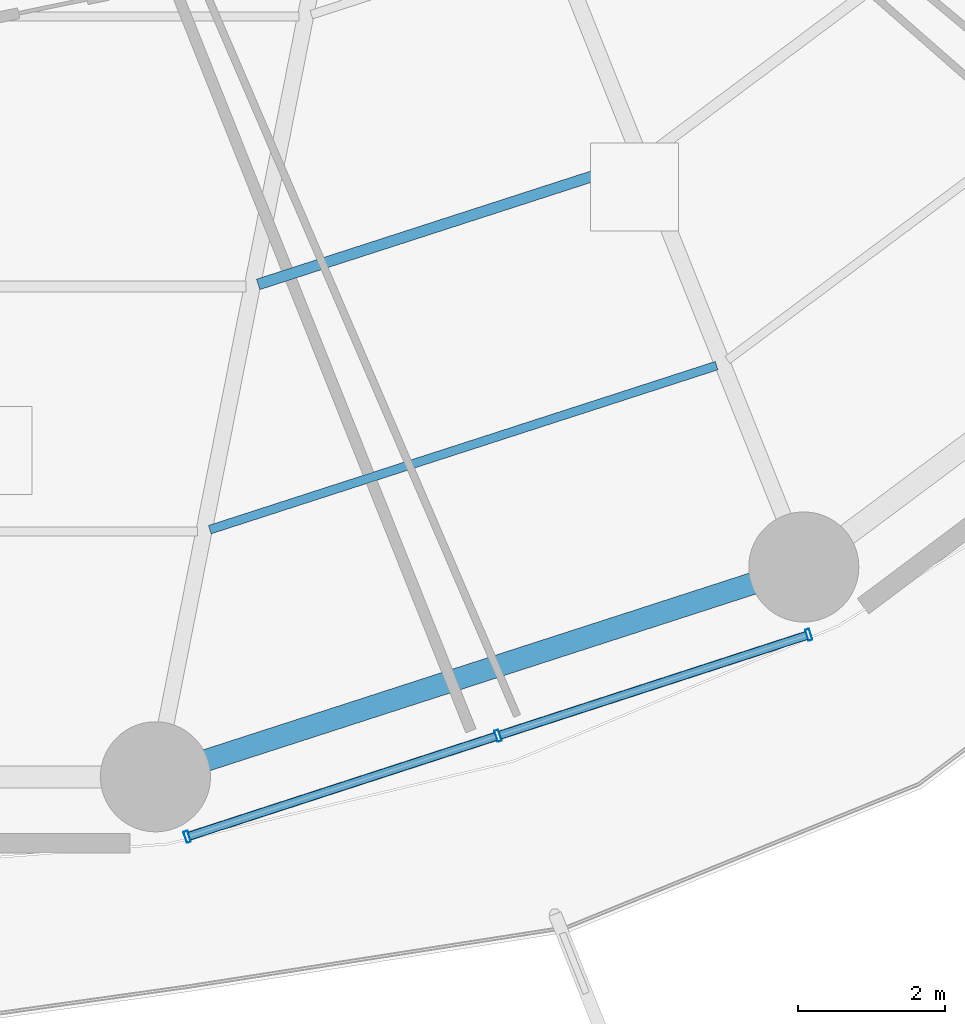
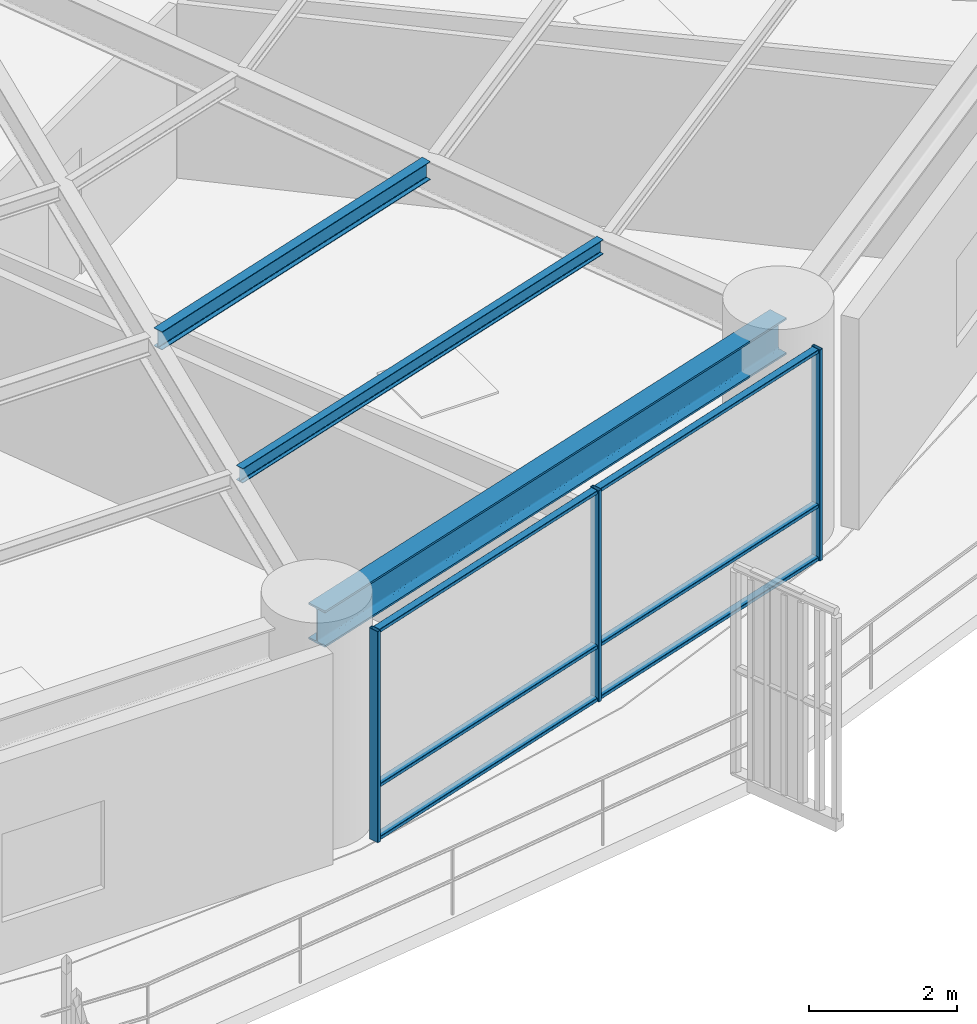
# One storey, part 8 of 32: 9 members, 3 beams, 1 element without a shape of its own.
"""IFC4 building model written with IfcOpenShell, lengths in metres."""

from ifc_helpers import new_model, si_unit, direction, frame, origin, origin_2d, place, context, subcontext, project, spatial, hollow_rectangle, i_section, extrude, material, layer, layer_set, material_profile, profile_set, type_object, element, aggregate, save


model = new_model("IFC4")

# Units and contexts
model_context = context("Model", 3, precision=1e-05, world=origin(), true_north=direction((0.0, 1.0)))
body_context = subcontext(model_context, "Body", "Model", "MODEL_VIEW")
ifc_project = project(units=[si_unit("LENGTHUNIT", "METRE"), si_unit("AREAUNIT", "SQUARE_METRE"), si_unit("VOLUMEUNIT", "CUBIC_METRE"), si_unit("PLANEANGLEUNIT", "RADIAN"), si_unit("MASSUNIT", "GRAM", prefix="KILO")], contexts=[model_context])

# Site, building, storey
site_placement = place(None, origin())
site = spatial("IfcSite", under=ifc_project, at=site_placement, CompositionType="ELEMENT")
building_placement = place(site_placement, origin())
building = spatial("IfcBuilding", under=site, at=building_placement, Name="Kelanora Arch Commons", CompositionType="ELEMENT")
storey_placement = place(building_placement, frame((0.0, 0.0, 52.5)))
storey = spatial("IfcBuildingStorey", under=building, at=storey_placement, Name="L13", CompositionType="ELEMENT", Elevation=52.5)

# Beams
ifc_material_1 = material(Name="Steel S355", Category="steel")
ifc_material_profile_1 = material_profile(ifc_material_1, i_section(OverallWidth=0.14990234375, OverallDepth=0.300048828125, WebThickness=0.007080078125, FlangeThickness=0.0107421875, FilletRadius=0.014892578125, at=origin_2d()), Name="IPE300")
ifc_profile_set_1 = profile_set([ifc_material_profile_1], Name="Steel S355")
beam_type_1 = type_object("IfcBeamType", Name="BM-JST-01", PredefinedType="JOIST", material=ifc_profile_set_1)
beam_1_placement = place(storey_placement, frame((80.102294921875, 40.997802734375, 3.340087890625), z_axis=(0.951412209627, 0.307920131482, 0.0), x_axis=(-0.307920131482, 0.951412209627, 0.0)))
element("IfcBeam", 1, at=beam_1_placement, inside=storey, type_object=beam_type_1, Name="Secondary Chord Joist BJB-28 L13", PredefinedType="JOIST", context=body_context, shape_type="SweptSolid", body=[
    extrude(i_section(OverallWidth=0.14990234375, OverallDepth=0.300048828125, WebThickness=0.007080078125, FlangeThickness=0.0107421875, FilletRadius=0.014892578125, at=origin_2d()), origin(), (0.0, 0.0, 1.0), 5.4033203125),
])
ifc_material_profile_2 = material_profile(ifc_material_1, i_section(OverallWidth=0.1201171875, OverallDepth=0.239990234375, WebThickness=0.006103515625, FlangeThickness=0.009765625, FilletRadius=0.014892578125, at=origin_2d()), Name="IPE240")
ifc_profile_set_2 = profile_set([ifc_material_profile_2], Name="Steel S355")
beam_type_2 = type_object("IfcBeamType", Name="BM-JST-02", PredefinedType="JOIST", material=ifc_profile_set_2)
beam_2_placement = place(storey_placement, frame((79.44287109375, 37.65478515625, 3.3701171875), z_axis=(0.951410915705, 0.307924129418, 0.0), x_axis=(-0.307924129418, 0.951410915705, 0.0)))
element("IfcBeam", 2, at=beam_2_placement, inside=storey, type_object=beam_type_2, Name="Secondary Chord Joist BJC-28 L13", PredefinedType="JOIST", context=body_context, shape_type="SweptSolid", body=[
    extrude(i_section(OverallWidth=0.1201171875, OverallDepth=0.239990234375, WebThickness=0.006103515625, FlangeThickness=0.009765625, FilletRadius=0.014892578125, at=origin_2d()), origin(), (0.0, 0.0, 1.0), 7.260986328125),
])
ifc_material_profile_3 = material_profile(ifc_material_1, i_section(OverallWidth=0.300048828125, OverallDepth=0.60009765625, WebThickness=0.015380859375, FlangeThickness=0.030029296875, FilletRadius=0.027099609375, at=origin_2d()), Name="HEB600")
ifc_profile_set_3 = profile_set([ifc_material_profile_3], Name="Steel S355")
beam_type_3 = type_object("IfcBeamType", Name="BM-SPN-Z1", PredefinedType="SPANDREL", material=ifc_profile_set_3)
beam_3_placement = place(storey_placement, frame((78.702392578125, 34.285888671875, 3.18994140625), z_axis=(0.951417120402, 0.307904957748, 0.0), x_axis=(-0.307904957748, 0.951417120402, 0.0)))
element("IfcBeam", 3, at=beam_3_placement, inside=storey, type_object=beam_type_3, Name="Perimeter Spandrel Beam BS-28 L13", PredefinedType="SPANDREL", context=body_context, shape_type="SweptSolid", body=[
    extrude(i_section(OverallWidth=0.300048828125, OverallDepth=0.60009765625, WebThickness=0.015380859375, FlangeThickness=0.030029296875, FilletRadius=0.027099609375, at=origin_2d()), origin(), (0.0, 0.0, 1.0), 9.288818359375),
])

# Curtain wall, members
ifc_material_2 = material(Name="Terracotta ceramic-fritted low-E glass and aluminium", Category="masonry")
ifc_layer = layer(ifc_material_2, 0.159912109375)
ifc_layer_set = layer_set([ifc_layer], Name="Terracotta ceramic-fritted low-E glass and aluminium")
curtain_wall_type = type_object("IfcCurtainWallType", Name="CW-SYS-01", PredefinedType="NOTDEFINED", material=ifc_layer_set)
curtain_wall_placement = place(storey_placement, origin())
curtain_wall = element("IfcCurtainWall", 4, at=curtain_wall_placement, inside=storey, type_object=curtain_wall_type, Name="Unitised Curtain Wall L13-B14", PredefinedType="NOTDEFINED")
ifc_material_3 = material(Name="Powder-coated aluminium terracotta", Category="masonry")
ifc_material_profile_4 = material_profile(ifc_material_3, hollow_rectangle(XDim=0.159912109375, YDim=0.06005859375, WallThickness=0.0048828125, InnerFilletRadius=0.0048828125, OuterFilletRadius=0.010009765625, at=origin_2d()), Name="CWM160x60")
ifc_profile_set_4 = profile_set([ifc_material_profile_4], Name="Powder-coated aluminium terracotta")
member_type_1 = type_object("IfcMemberType", Name="CWM-STD", PredefinedType="MULLION", material=ifc_profile_set_4)
member_1_placement = place(storey_placement, frame((79.134521484375, 33.46826171875, 0.0), z_axis=(0.0, 0.0, 1.0), x_axis=(-0.30905758454, 0.951043326793, 0.0)))
member_1 = element("IfcMember", 5, at=member_1_placement, type_object=member_type_1, Name="CW-01 mullion 1", PredefinedType="MULLION", context=body_context, shape_type="SweptSolid", body=[
    extrude(hollow_rectangle(XDim=0.159912109375, YDim=0.06005859375, WallThickness=0.0048828125, InnerFilletRadius=0.0048828125, OuterFilletRadius=0.010009765625, at=origin_2d()), origin(), (0.0, 0.0, 1.0), 3.47509765625),
])
member_2_placement = place(storey_placement, frame((83.37109375, 34.84521484375, 0.0), z_axis=(0.0, 0.0, 1.0), x_axis=(-0.30905758454, 0.951043326793, 0.0)))
member_2 = element("IfcMember", 6, at=member_2_placement, type_object=member_type_1, Name="CW-01 mullion 2", PredefinedType="MULLION", context=body_context, shape_type="SweptSolid", body=[
    extrude(hollow_rectangle(XDim=0.159912109375, YDim=0.06005859375, WallThickness=0.0048828125, InnerFilletRadius=0.0048828125, OuterFilletRadius=0.010009765625, at=origin_2d()), origin(), (0.0, 0.0, 1.0), 3.47509765625),
])
member_3_placement = place(storey_placement, frame((87.607666015625, 36.221923828125, 0.0), z_axis=(0.0, 0.0, 1.0), x_axis=(-0.30905758454, 0.951043326793, 0.0)))
member_3 = element("IfcMember", 7, at=member_3_placement, type_object=member_type_1, Name="CW-01 mullion 3", PredefinedType="MULLION", context=body_context, shape_type="SweptSolid", body=[
    extrude(hollow_rectangle(XDim=0.159912109375, YDim=0.06005859375, WallThickness=0.0048828125, InnerFilletRadius=0.0048828125, OuterFilletRadius=0.010009765625, at=origin_2d()), origin(), (0.0, 0.0, 1.0), 3.47509765625),
])
ifc_material_profile_5 = material_profile(ifc_material_3, hollow_rectangle(XDim=0.1201171875, YDim=0.06005859375, WallThickness=0.0048828125, InnerFilletRadius=0.0048828125, OuterFilletRadius=0.010009765625, at=origin_2d()), Name="CWT120x60")
ifc_profile_set_5 = profile_set([ifc_material_profile_5], Name="Powder-coated aluminium terracotta")
member_type_2 = type_object("IfcMemberType", Name="CWT-STD", PredefinedType="USERDEFINED", material=ifc_profile_set_5)
member_4_placement = place(storey_placement, frame((79.1630859375, 33.4775390625, 0.030029296875), z_axis=(0.951028761285, 0.309102402464, 0.0), x_axis=(-0.309102402464, 0.951028761285, 0.0)))
member_4 = element("IfcMember", 8, at=member_4_placement, type_object=member_type_2, Name="CW-01 transom 1.1", ObjectType="TRANSOM", PredefinedType="USERDEFINED", context=body_context, shape_type="SweptSolid", body=[
    extrude(hollow_rectangle(XDim=0.1201171875, YDim=0.06005859375, WallThickness=0.0048828125, InnerFilletRadius=0.0048828125, OuterFilletRadius=0.010009765625, at=origin_2d()), origin(), (0.0, 0.0, 1.0), 4.394775390625),
])
member_5_placement = place(storey_placement, frame((79.1630859375, 33.4775390625, 0.89990234375), z_axis=(0.951028761285, 0.309102402464, 0.0), x_axis=(-0.309102402464, 0.951028761285, 0.0)))
member_5 = element("IfcMember", 9, at=member_5_placement, type_object=member_type_2, Name="CW-01 transom 1.2", ObjectType="TRANSOM", PredefinedType="USERDEFINED", context=body_context, shape_type="SweptSolid", body=[
    extrude(hollow_rectangle(XDim=0.1201171875, YDim=0.06005859375, WallThickness=0.0048828125, InnerFilletRadius=0.0048828125, OuterFilletRadius=0.010009765625, at=origin_2d()), origin(), (0.0, 0.0, 1.0), 4.394775390625),
])
member_6_placement = place(storey_placement, frame((79.1630859375, 33.4775390625, 3.445068359375), z_axis=(0.951028761285, 0.309102402464, 0.0), x_axis=(-0.309102402464, 0.951028761285, 0.0)))
member_6 = element("IfcMember", 10, at=member_6_placement, type_object=member_type_2, Name="CW-01 transom 1.3", ObjectType="TRANSOM", PredefinedType="USERDEFINED", context=body_context, shape_type="SweptSolid", body=[
    extrude(hollow_rectangle(XDim=0.1201171875, YDim=0.06005859375, WallThickness=0.0048828125, InnerFilletRadius=0.0048828125, OuterFilletRadius=0.010009765625, at=origin_2d()), origin(), (0.0, 0.0, 1.0), 4.394775390625),
])
member_7_placement = place(storey_placement, frame((83.399658203125, 34.8544921875, 0.030029296875), z_axis=(0.951045091182, 0.309052155047, 0.0), x_axis=(-0.309052155047, 0.951045091182, 0.0)))
member_7 = element("IfcMember", 11, at=member_7_placement, type_object=member_type_2, Name="CW-01 transom 2.1", ObjectType="TRANSOM", PredefinedType="USERDEFINED", context=body_context, shape_type="SweptSolid", body=[
    extrude(hollow_rectangle(XDim=0.1201171875, YDim=0.06005859375, WallThickness=0.0048828125, InnerFilletRadius=0.0048828125, OuterFilletRadius=0.010009765625, at=origin_2d()), origin(), (0.0, 0.0, 1.0), 4.39453125),
])
member_8_placement = place(storey_placement, frame((83.399658203125, 34.8544921875, 0.89990234375), z_axis=(0.951045091182, 0.309052155047, 0.0), x_axis=(-0.309052155047, 0.951045091182, 0.0)))
member_8 = element("IfcMember", 12, at=member_8_placement, type_object=member_type_2, Name="CW-01 transom 2.2", ObjectType="TRANSOM", PredefinedType="USERDEFINED", context=body_context, shape_type="SweptSolid", body=[
    extrude(hollow_rectangle(XDim=0.1201171875, YDim=0.06005859375, WallThickness=0.0048828125, InnerFilletRadius=0.0048828125, OuterFilletRadius=0.010009765625, at=origin_2d()), origin(), (0.0, 0.0, 1.0), 4.39453125),
])
member_9_placement = place(storey_placement, frame((83.399658203125, 34.8544921875, 3.445068359375), z_axis=(0.951045091182, 0.309052155047, 0.0), x_axis=(-0.309052155047, 0.951045091182, 0.0)))
member_9 = element("IfcMember", 13, at=member_9_placement, type_object=member_type_2, Name="CW-01 transom 2.3", ObjectType="TRANSOM", PredefinedType="USERDEFINED", context=body_context, shape_type="SweptSolid", body=[
    extrude(hollow_rectangle(XDim=0.1201171875, YDim=0.06005859375, WallThickness=0.0048828125, InnerFilletRadius=0.0048828125, OuterFilletRadius=0.010009765625, at=origin_2d()), origin(), (0.0, 0.0, 1.0), 4.39453125),
])
aggregate(curtain_wall, [member_1, member_2, member_3, member_4, member_5, member_6, member_7, member_8, member_9])

save(model, "model.ifc")
